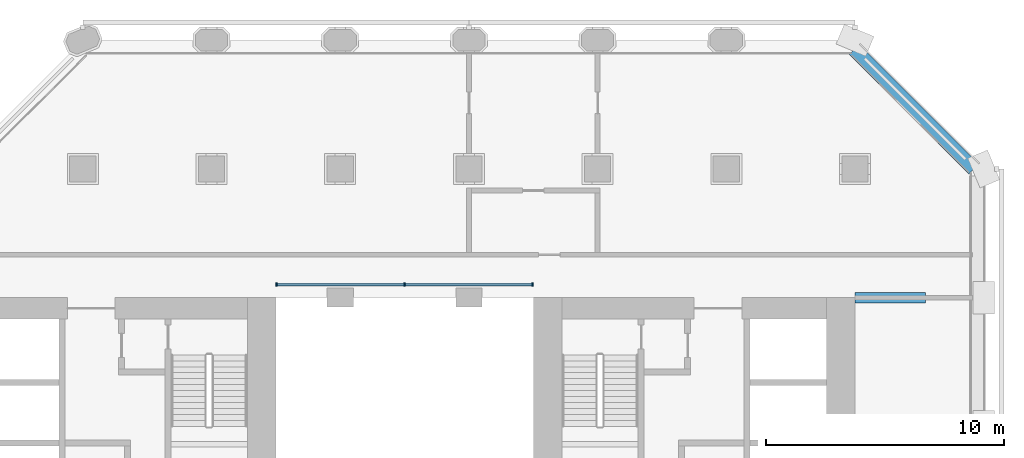
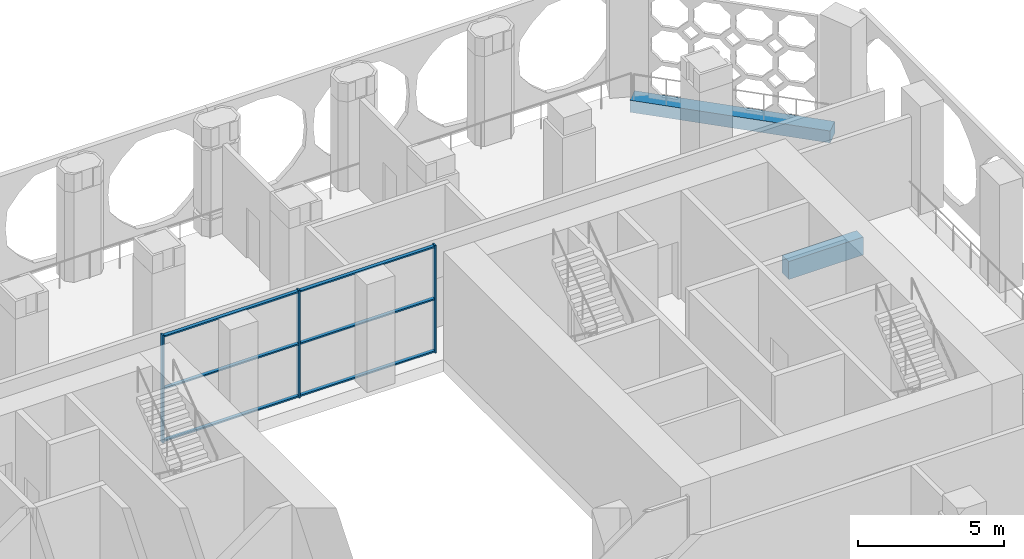
# One storey, part 4 of 14: 9 members, 2 beams, 1 element without a shape of its own.
"""IFC4 building model written with IfcOpenShell, lengths in metres."""

from ifc_helpers import new_model, si_unit, direction, frame, origin, origin_2d, place, context, subcontext, project, spatial, rectangle, extrude, material, material_profile, profile_set, type_object, element, aggregate, save


model = new_model("IFC4")

# Units and contexts
model_context = context("Model", 3, precision=1e-05, world=origin(), true_north=direction((0.0, 1.0)))
body_context = subcontext(model_context, "Body", "Model", "MODEL_VIEW")
ifc_project = project(units=[si_unit("LENGTHUNIT", "METRE"), si_unit("AREAUNIT", "SQUARE_METRE"), si_unit("VOLUMEUNIT", "CUBIC_METRE"), si_unit("PLANEANGLEUNIT", "RADIAN"), si_unit("MASSUNIT", "GRAM", prefix="KILO")], contexts=[model_context])

# Site, building, storey
site_placement = place(None, origin())
site = spatial("IfcSite", under=ifc_project, at=site_placement, CompositionType="ELEMENT")
building_placement = place(site_placement, origin())
building = spatial("IfcBuilding", under=site, at=building_placement, Name="Tabaq Tower and Sports Hall", CompositionType="ELEMENT")
storey_placement = place(building_placement, frame((0.0, 0.0, 60.199951171875)))
storey = spatial("IfcBuildingStorey", under=building, at=storey_placement, Name="L13", CompositionType="ELEMENT", Elevation=60.199951171875)

# Curtain wall, members
ifc_material_1 = material(Name="Aluminium alloy 6063-T6 framed glazing", Category="aluminium")
curtain_wall_type = type_object("IfcCurtainWallType", Name="CW1 curtain wall", PredefinedType="USERDEFINED", material=ifc_material_1)
curtain_wall_placement = place(storey_placement, origin())
curtain_wall = element("IfcCurtainWall", 1, at=curtain_wall_placement, inside=storey, type_object=curtain_wall_type, Name="Atrium glazing L13 N", ObjectType="ATRIUM ENCLOSURE", PredefinedType="USERDEFINED")
ifc_material_2 = material(Name="Aluminium alloy 6063-T6", Category="aluminium")
ifc_material_profile_1 = material_profile(ifc_material_2, rectangle(XDim=0.159912109375, YDim=0.06005859375, at=origin_2d()), Name="MULLION 160x60")
ifc_profile_set_1 = profile_set([ifc_material_profile_1], Name="Aluminium alloy 6063-T6")
member_type_1 = type_object("IfcMemberType", Name="CW1 mullion 160x60", PredefinedType="MULLION", material=ifc_profile_set_1)
member_1_placement = place(storey_placement, frame((18.929931640625, 32.949951171875, 0.0), z_axis=(0.0, 0.0, 1.0), x_axis=(0.0, 1.0, 0.0)))
member_1 = element("IfcMember", 2, at=member_1_placement, type_object=member_type_1, Name="CW1 mullion 1", PredefinedType="MULLION", context=body_context, shape_type="SweptSolid", body=[
    extrude(rectangle(XDim=0.159912109375, YDim=0.06005859375, at=origin_2d()), origin(), (0.0, 0.0, 1.0), 4.5),
])
member_2_placement = place(storey_placement, frame((24.300048828125, 32.949951171875, 0.0), z_axis=(0.0, 0.0, 1.0), x_axis=(0.0, 1.0, 0.0)))
member_2 = element("IfcMember", 3, at=member_2_placement, type_object=member_type_1, Name="CW1 mullion 2", PredefinedType="MULLION", context=body_context, shape_type="SweptSolid", body=[
    extrude(rectangle(XDim=0.159912109375, YDim=0.06005859375, at=origin_2d()), origin(), (0.0, 0.0, 1.0), 4.5),
])
member_3_placement = place(storey_placement, frame((29.669921875, 32.949951171875, 0.0), z_axis=(0.0, 0.0, 1.0), x_axis=(0.0, 1.0, 0.0)))
member_3 = element("IfcMember", 4, at=member_3_placement, type_object=member_type_1, Name="CW1 mullion 3", PredefinedType="MULLION", context=body_context, shape_type="SweptSolid", body=[
    extrude(rectangle(XDim=0.159912109375, YDim=0.06005859375, at=origin_2d()), origin(), (0.0, 0.0, 1.0), 4.5),
])
ifc_material_3 = material(Name="Aluminium alloy 6063-T6", Category="aluminium")
ifc_material_profile_2 = material_profile(ifc_material_3, rectangle(XDim=0.139892578125, YDim=0.06005859375, at=origin_2d()), Name="TRANSOM 140x60")
ifc_profile_set_2 = profile_set([ifc_material_profile_2], Name="Aluminium alloy 6063-T6")
member_type_2 = type_object("IfcMemberType", Name="CW1 transom 140x60", PredefinedType="USERDEFINED", material=ifc_profile_set_2)
member_4_placement = place(storey_placement, frame((18.9599609375, 32.949951171875, 0.070068359375), z_axis=(1.0, 0.0, 0.0), x_axis=(0.0, 1.0, 0.0)))
member_4 = element("IfcMember", 5, at=member_4_placement, type_object=member_type_2, Name="CW1 transom 1.1", ObjectType="TRANSOM", PredefinedType="USERDEFINED", context=body_context, shape_type="SweptSolid", body=[
    extrude(rectangle(XDim=0.139892578125, YDim=0.06005859375, at=origin_2d()), origin(), (0.0, 0.0, 1.0), 5.31005859375),
])
member_5_placement = place(storey_placement, frame((18.9599609375, 32.949951171875, 2.25), z_axis=(1.0, 0.0, 0.0), x_axis=(0.0, 1.0, 0.0)))
member_5 = element("IfcMember", 6, at=member_5_placement, type_object=member_type_2, Name="CW1 transom 1.2", ObjectType="TRANSOM", PredefinedType="USERDEFINED", context=body_context, shape_type="SweptSolid", body=[
    extrude(rectangle(XDim=0.139892578125, YDim=0.06005859375, at=origin_2d()), origin(), (0.0, 0.0, 1.0), 5.31005859375),
])
member_6_placement = place(storey_placement, frame((18.9599609375, 32.949951171875, 4.429931640625), z_axis=(1.0, 0.0, 0.0), x_axis=(0.0, 1.0, 0.0)))
member_6 = element("IfcMember", 7, at=member_6_placement, type_object=member_type_2, Name="CW1 transom 1.3", ObjectType="TRANSOM", PredefinedType="USERDEFINED", context=body_context, shape_type="SweptSolid", body=[
    extrude(rectangle(XDim=0.139892578125, YDim=0.06005859375, at=origin_2d()), origin(), (0.0, 0.0, 1.0), 5.31005859375),
])
member_7_placement = place(storey_placement, frame((24.330078125, 32.949951171875, 0.070068359375), z_axis=(1.0, 0.0, 0.0), x_axis=(0.0, 1.0, 0.0)))
member_7 = element("IfcMember", 8, at=member_7_placement, type_object=member_type_2, Name="CW1 transom 2.1", ObjectType="TRANSOM", PredefinedType="USERDEFINED", context=body_context, shape_type="SweptSolid", body=[
    extrude(rectangle(XDim=0.139892578125, YDim=0.06005859375, at=origin_2d()), origin(), (0.0, 0.0, 1.0), 5.309814453125),
])
member_8_placement = place(storey_placement, frame((24.330078125, 32.949951171875, 2.25), z_axis=(1.0, 0.0, 0.0), x_axis=(0.0, 1.0, 0.0)))
member_8 = element("IfcMember", 9, at=member_8_placement, type_object=member_type_2, Name="CW1 transom 2.2", ObjectType="TRANSOM", PredefinedType="USERDEFINED", context=body_context, shape_type="SweptSolid", body=[
    extrude(rectangle(XDim=0.139892578125, YDim=0.06005859375, at=origin_2d()), origin(), (0.0, 0.0, 1.0), 5.309814453125),
])
member_9_placement = place(storey_placement, frame((24.330078125, 32.949951171875, 4.429931640625), z_axis=(1.0, 0.0, 0.0), x_axis=(0.0, 1.0, 0.0)))
member_9 = element("IfcMember", 10, at=member_9_placement, type_object=member_type_2, Name="CW1 transom 2.3", ObjectType="TRANSOM", PredefinedType="USERDEFINED", context=body_context, shape_type="SweptSolid", body=[
    extrude(rectangle(XDim=0.139892578125, YDim=0.06005859375, at=origin_2d()), origin(), (0.0, 0.0, 1.0), 5.309814453125),
])
aggregate(curtain_wall, [member_1, member_2, member_3, member_4, member_5, member_6, member_7, member_8, member_9])

# Beams
ifc_material_4 = material(Name="Concrete C40/50", Category="concrete")
ifc_material_profile_3 = material_profile(ifc_material_4, rectangle(XDim=0.449951171875, YDim=0.75, at=origin_2d()), Name="CB 450x750")
ifc_profile_set_3 = profile_set([ifc_material_profile_3], Name="Concrete C40/50")
beam_type_1 = type_object("IfcBeamType", Name="PT CANTILEVER BEAM CB 450x750 C40/50", PredefinedType="BEAM", material=ifc_profile_set_3)
beam_1_placement = place(storey_placement, frame((46.14990234375, 32.39990234375, -0.875), z_axis=(-1.0, 0.0, 0.0), x_axis=(0.0, -1.0, 0.0)))
element("IfcBeam", 11, at=beam_1_placement, inside=storey, type_object=beam_type_1, Name="Cantilever Beam L13 E6 span 1", PredefinedType="BEAM", context=body_context, shape_type="SweptSolid", body=[
    extrude(rectangle(XDim=0.449951171875, YDim=0.75, at=origin_2d()), origin(), (0.0, 0.0, 1.0), 2.949951171875),
])
ifc_material_5 = material(Name="Concrete C40/50", Category="concrete")
ifc_material_profile_4 = material_profile(ifc_material_5, rectangle(XDim=0.60009765625, YDim=0.5, at=origin_2d()), Name="EB 600x500")
ifc_profile_set_4 = profile_set([ifc_material_profile_4], Name="Concrete C40/50")
beam_type_2 = type_object("IfcBeamType", Name="PT EDGE BEAM EB 600x500 C40/50", PredefinedType="SPANDREL", material=ifc_profile_set_4)
beam_2_placement = place(storey_placement, frame((48.1767578125, 37.799072265625, -0.25), z_axis=(-0.707124002701, 0.707089559252, 0.0), x_axis=(-0.707089559252, -0.707124002701, 0.0)))
element("IfcBeam", 12, at=beam_2_placement, inside=storey, type_object=beam_type_2, Name="Edge Beam L13 4", PredefinedType="SPANDREL", context=body_context, shape_type="SweptSolid", body=[
    extrude(rectangle(XDim=0.60009765625, YDim=0.5, at=origin_2d()), origin(), (0.0, 0.0, 1.0), 7.088134765625),
])

save(model, "model.ifc")
